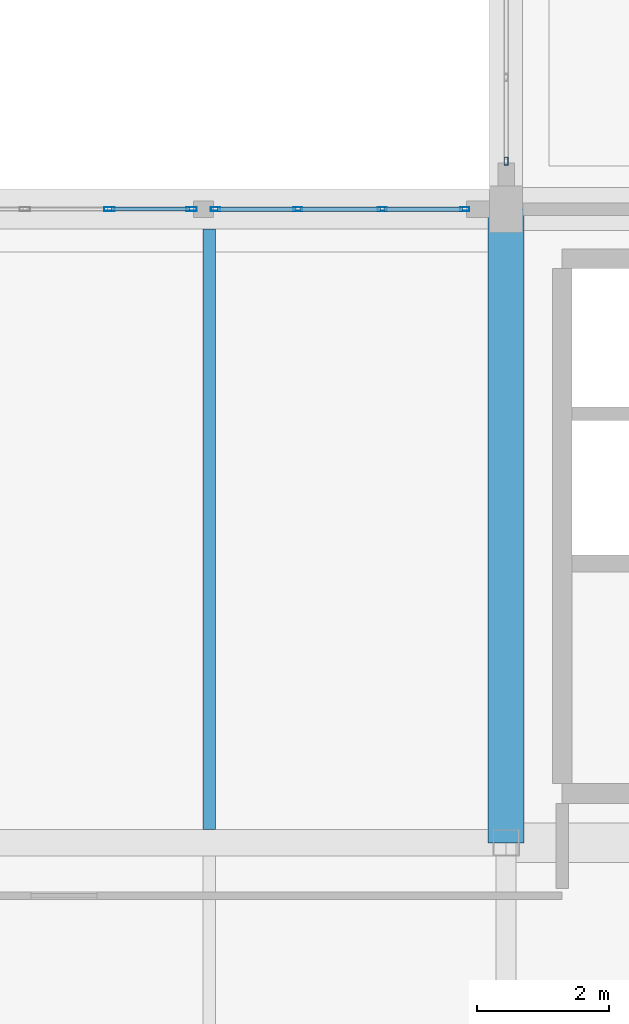
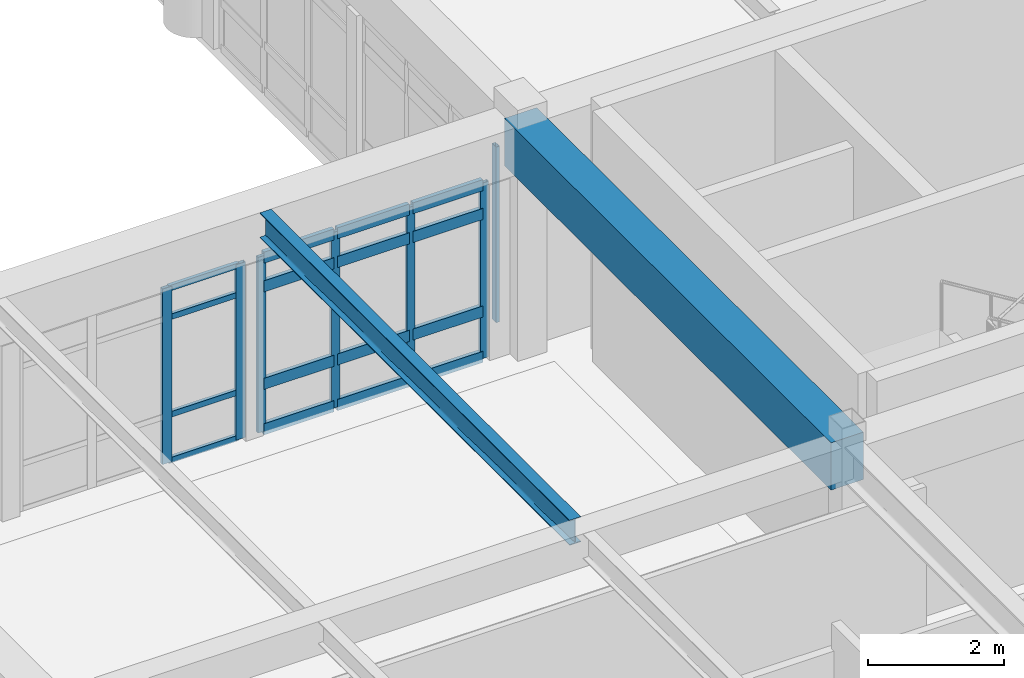
# One storey, part 15 of 80: 23 members, 2 beams, 3 elements without a shape of their own.
"""IFC4 building model written with IfcOpenShell, lengths in metres."""

from ifc_helpers import new_model, si_unit, direction, frame, origin, origin_2d, place, context, subcontext, project, spatial, rectangle, hollow_rectangle, i_section, extrude, material, layer, layer_set, material_profile, profile_set, type_object, element, aggregate, save


model = new_model("IFC4")

# Units and contexts
model_context = context("Model", 3, precision=1e-05, world=origin(), true_north=direction((0.0, 1.0)))
body_context = subcontext(model_context, "Body", "Model", "MODEL_VIEW")
ifc_project = project(units=[si_unit("LENGTHUNIT", "METRE"), si_unit("AREAUNIT", "SQUARE_METRE"), si_unit("VOLUMEUNIT", "CUBIC_METRE"), si_unit("PLANEANGLEUNIT", "RADIAN"), si_unit("MASSUNIT", "GRAM", prefix="KILO")], contexts=[model_context])

# Site, building, storey
site_placement = place(None, origin())
site = spatial("IfcSite", under=ifc_project, at=site_placement, CompositionType="ELEMENT")
building_placement = place(site_placement, origin())
building = spatial("IfcBuilding", under=site, at=building_placement, Name="Fikremerkos Civic Library", CompositionType="ELEMENT")
storey_placement = place(building_placement, frame((0.0, 0.0, 9.89990234375)))
storey = spatial("IfcBuildingStorey", under=building, at=storey_placement, Name="L02", CompositionType="ELEMENT", Elevation=9.89990234375)

# Curtain wall, members
ifc_material_1 = material(Name="Anodized aluminium Frame", Category="aluminium")
ifc_layer_1 = layer(ifc_material_1, 0.159912109375, Name="Anodized aluminium Frame")
ifc_layer_set_1 = layer_set([ifc_layer_1], Name="Anodized aluminium Frame")
curtain_wall_type_1 = type_object("IfcCurtainWallType", Name="Unitised curtain wall CW-06 4200x4100", PredefinedType="USERDEFINED", material=ifc_layer_set_1)
curtain_wall_1_placement = place(storey_placement, origin())
curtain_wall_1 = element("IfcCurtainWall", 1, at=curtain_wall_1_placement, inside=storey, type_object=curtain_wall_type_1, Name="Unitised curtain wall CW-06 L02 #150", ObjectType="UNITISED CURTAIN WALL", PredefinedType="USERDEFINED")
ifc_material_profile_1 = material_profile(ifc_material_1, hollow_rectangle(XDim=0.06005859375, YDim=0.159912109375, WallThickness=0.00390625, at=origin_2d()), Name="ALU 160x60x4")
ifc_profile_set_1 = profile_set([ifc_material_profile_1], Name="Anodized aluminium Frame")
member_type_1 = type_object("IfcMemberType", Name="Curtain mullion CWM-02 ALU 160x60x4", PredefinedType="MULLION", material=ifc_profile_set_1)
member_1_placement = place(storey_placement, frame((40.189208984375, 31.199951171875, 0.0), z_axis=(0.0, 0.0, 1.0), x_axis=(0.0, 1.0, 0.0)))
member_1 = element("IfcMember", 2, at=member_1_placement, type_object=member_type_1, Name="CW-06 mullion 3", PredefinedType="MULLION", context=body_context, shape_type="SweptSolid", body=[
    extrude(hollow_rectangle(XDim=0.06005859375, YDim=0.159912109375, WallThickness=0.00390625, at=origin_2d()), origin(), (0.0, 0.0, 1.0), 3.150146484375),
])
member_2_placement = place(storey_placement, frame((41.437255859375, 31.199951171875, 0.0), z_axis=(0.0, 0.0, 1.0), x_axis=(0.0, 1.0, 0.0)))
member_2 = element("IfcMember", 3, at=member_2_placement, type_object=member_type_1, Name="CW-06 mullion 4", PredefinedType="MULLION", context=body_context, shape_type="SweptSolid", body=[
    extrude(hollow_rectangle(XDim=0.06005859375, YDim=0.159912109375, WallThickness=0.00390625, at=origin_2d()), origin(), (0.0, 0.0, 1.0), 3.150146484375),
])

ifc_layer_2 = layer(ifc_material_1, 0.159912109375, Name="Anodized aluminium Frame")
ifc_layer_set_2 = layer_set([ifc_layer_2], Name="Anodized aluminium Frame")
curtain_wall_type_2 = type_object("IfcCurtainWallType", Name="Unitised curtain wall CW-07 3500x4100", PredefinedType="USERDEFINED", material=ifc_layer_set_2)
curtain_wall_2_placement = place(storey_placement, origin())
curtain_wall_2 = element("IfcCurtainWall", 4, at=curtain_wall_2_placement, inside=storey, type_object=curtain_wall_type_2, Name="Unitised curtain wall CW-07 L02 #151", ObjectType="UNITISED CURTAIN WALL", PredefinedType="USERDEFINED")
ifc_material_profile_2 = material_profile(ifc_material_1, hollow_rectangle(XDim=0.06005859375, YDim=0.139892578125, WallThickness=0.00390625, at=origin_2d()), Name="ALU 140x60x4")
ifc_profile_set_2 = profile_set([ifc_material_profile_2], Name="Anodized aluminium Frame")
member_type_2 = type_object("IfcMemberType", Name="Curtain mullion CWM-03 ALU 140x60x4", PredefinedType="MULLION", material=ifc_profile_set_2)
member_3_placement = place(storey_placement, frame((41.79736328125, 31.199951171875, 0.0), z_axis=(0.0, 0.0, 1.0), x_axis=(0.0, 1.0, 0.0)))
member_3 = element("IfcMember", 5, at=member_3_placement, type_object=member_type_2, Name="CW-07 mullion 1", PredefinedType="MULLION", context=body_context, shape_type="SweptSolid", body=[
    extrude(hollow_rectangle(XDim=0.06005859375, YDim=0.139892578125, WallThickness=0.00390625, at=origin_2d()), origin(), (0.0, 0.0, 1.0), 3.150146484375),
])
member_4_placement = place(storey_placement, frame((43.045654296875, 31.199951171875, 0.0), z_axis=(0.0, 0.0, 1.0), x_axis=(0.0, 1.0, 0.0)))
member_4 = element("IfcMember", 6, at=member_4_placement, type_object=member_type_2, Name="CW-07 mullion 2", PredefinedType="MULLION", context=body_context, shape_type="SweptSolid", body=[
    extrude(hollow_rectangle(XDim=0.06005859375, YDim=0.139892578125, WallThickness=0.00390625, at=origin_2d()), origin(), (0.0, 0.0, 1.0), 3.150146484375),
])
member_5_placement = place(storey_placement, frame((44.32373046875, 31.199951171875, 0.0), z_axis=(0.0, 0.0, 1.0), x_axis=(0.0, 1.0, 0.0)))
member_5 = element("IfcMember", 7, at=member_5_placement, type_object=member_type_2, Name="CW-07 mullion 3", PredefinedType="MULLION", context=body_context, shape_type="SweptSolid", body=[
    extrude(hollow_rectangle(XDim=0.06005859375, YDim=0.139892578125, WallThickness=0.00390625, at=origin_2d()), origin(), (0.0, 0.0, 1.0), 3.150146484375),
])
member_6_placement = place(storey_placement, frame((45.572021484375, 31.199951171875, 0.0), z_axis=(0.0, 0.0, 1.0), x_axis=(0.0, 1.0, 0.0)))
member_6 = element("IfcMember", 8, at=member_6_placement, type_object=member_type_2, Name="CW-07 mullion 4", PredefinedType="MULLION", context=body_context, shape_type="SweptSolid", body=[
    extrude(hollow_rectangle(XDim=0.06005859375, YDim=0.139892578125, WallThickness=0.00390625, at=origin_2d()), origin(), (0.0, 0.0, 1.0), 3.150146484375),
])

# Curtain wall, member
ifc_layer_3 = layer(ifc_material_1, 0.159912109375, Name="Anodized aluminium Frame")
ifc_layer_set_3 = layer_set([ifc_layer_3], Name="Anodized aluminium Frame")
curtain_wall_type_3 = type_object("IfcCurtainWallType", Name="Unitised curtain wall CW-08 4500x4100", PredefinedType="USERDEFINED", material=ifc_layer_set_3)
curtain_wall_3_placement = place(storey_placement, origin())
curtain_wall_3 = element("IfcCurtainWall", 9, at=curtain_wall_3_placement, inside=storey, type_object=curtain_wall_type_3, Name="Unitised curtain wall CW-08 L02 #152", ObjectType="UNITISED CURTAIN WALL", PredefinedType="USERDEFINED")
ifc_material_profile_3 = material_profile(ifc_material_1, hollow_rectangle(XDim=0.06005859375, YDim=0.1201171875, WallThickness=0.00390625, at=origin_2d()), Name="ALU 120x60x4")
ifc_profile_set_3 = profile_set([ifc_material_profile_3], Name="Anodized aluminium Frame")
member_type_3 = type_object("IfcMemberType", Name="Curtain mullion CWM-04 ALU 120x60x4", PredefinedType="MULLION", material=ifc_profile_set_3)
member_7_placement = place(storey_placement, frame((46.199951171875, 31.927978515625, 0.0), z_axis=(0.0, 0.0, 1.0), x_axis=(-1.0, 0.0, 0.0)))
member_7 = element("IfcMember", 10, at=member_7_placement, type_object=member_type_3, Name="CW-08 mullion 1", PredefinedType="MULLION", context=body_context, shape_type="SweptSolid", body=[
    extrude(hollow_rectangle(XDim=0.06005859375, YDim=0.1201171875, WallThickness=0.00390625, at=origin_2d()), origin(), (0.0, 0.0, 1.0), 3.150146484375),
])
aggregate(curtain_wall_3, [member_7])

# Member
ifc_material_profile_4 = material_profile(ifc_material_1, hollow_rectangle(XDim=0.06005859375, YDim=0.10009765625, WallThickness=0.00390625, at=origin_2d()), Name="ALU 100x60x4")
ifc_profile_set_4 = profile_set([ifc_material_profile_4], Name="Anodized aluminium Frame")
member_type_4 = type_object("IfcMemberType", Name="Curtain transom CWT-03 ALU 100x60x4", PredefinedType="USERDEFINED", material=ifc_profile_set_4)
member_8_placement = place(storey_placement, frame((40.218994140625, 31.199951171875, 0.030029296875), z_axis=(1.0, 0.0, 0.0), x_axis=(0.0, 1.0, 0.0)))
member_8 = element("IfcMember", 11, at=member_8_placement, type_object=member_type_4, Name="CW-06 transom 3.1", ObjectType="TRANSOM", PredefinedType="USERDEFINED", context=body_context, shape_type="SweptSolid", body=[
    extrude(hollow_rectangle(XDim=0.06005859375, YDim=0.10009765625, WallThickness=0.00390625, at=origin_2d()), origin(), (0.0, 0.0, 1.0), 1.188232421875),
])

member_9_placement = place(storey_placement, frame((40.218994140625, 31.199951171875, 0.85009765625), z_axis=(1.0, 0.0, 0.0), x_axis=(0.0, 1.0, 0.0)))
member_9 = element("IfcMember", 12, at=member_9_placement, type_object=member_type_4, Name="CW-06 transom 3.2", ObjectType="TRANSOM", PredefinedType="USERDEFINED", context=body_context, shape_type="SweptSolid", body=[
    extrude(hollow_rectangle(XDim=0.06005859375, YDim=0.10009765625, WallThickness=0.00390625, at=origin_2d()), origin(), (0.0, 0.0, 1.0), 1.188232421875),
])

member_10_placement = place(storey_placement, frame((40.218994140625, 31.199951171875, 2.60009765625), z_axis=(1.0, 0.0, 0.0), x_axis=(0.0, 1.0, 0.0)))
member_10 = element("IfcMember", 13, at=member_10_placement, type_object=member_type_4, Name="CW-06 transom 3.3", ObjectType="TRANSOM", PredefinedType="USERDEFINED", context=body_context, shape_type="SweptSolid", body=[
    extrude(hollow_rectangle(XDim=0.06005859375, YDim=0.10009765625, WallThickness=0.00390625, at=origin_2d()), origin(), (0.0, 0.0, 1.0), 1.188232421875),
])

member_11_placement = place(storey_placement, frame((40.218994140625, 31.199951171875, 3.1201171875), z_axis=(1.0, 0.0, 0.0), x_axis=(0.0, 1.0, 0.0)))
member_11 = element("IfcMember", 14, at=member_11_placement, type_object=member_type_4, Name="CW-06 transom 3.4", ObjectType="TRANSOM", PredefinedType="USERDEFINED", context=body_context, shape_type="SweptSolid", body=[
    extrude(hollow_rectangle(XDim=0.06005859375, YDim=0.10009765625, WallThickness=0.00390625, at=origin_2d()), origin(), (0.0, 0.0, 1.0), 1.188232421875),
])

aggregate(curtain_wall_1, [member_1, member_2, member_8, member_9, member_10, member_11])

ifc_material_profile_5 = material_profile(ifc_material_1, hollow_rectangle(XDim=0.070068359375, YDim=0.199951171875, WallThickness=0.0048828125, at=origin_2d()), Name="ALU 200x70x5")
ifc_profile_set_5 = profile_set([ifc_material_profile_5], Name="Anodized aluminium Frame")
member_type_5 = type_object("IfcMemberType", Name="Curtain transom CWT-04 ALU 200x70x5", PredefinedType="USERDEFINED", material=ifc_profile_set_5)
member_12_placement = place(storey_placement, frame((41.827392578125, 31.199951171875, 0.03515625), z_axis=(1.0, 0.0, 0.0), x_axis=(0.0, 1.0, 0.0)))
member_12 = element("IfcMember", 15, at=member_12_placement, type_object=member_type_5, Name="CW-07 transom 1.1", ObjectType="TRANSOM", PredefinedType="USERDEFINED", context=body_context, shape_type="SweptSolid", body=[
    extrude(hollow_rectangle(XDim=0.070068359375, YDim=0.199951171875, WallThickness=0.0048828125, at=origin_2d()), origin(), (0.0, 0.0, 1.0), 1.188232421875),
])

member_13_placement = place(storey_placement, frame((41.827392578125, 31.199951171875, 0.85009765625), z_axis=(1.0, 0.0, 0.0), x_axis=(0.0, 1.0, 0.0)))
member_13 = element("IfcMember", 16, at=member_13_placement, type_object=member_type_5, Name="CW-07 transom 1.2", ObjectType="TRANSOM", PredefinedType="USERDEFINED", context=body_context, shape_type="SweptSolid", body=[
    extrude(hollow_rectangle(XDim=0.070068359375, YDim=0.199951171875, WallThickness=0.0048828125, at=origin_2d()), origin(), (0.0, 0.0, 1.0), 1.188232421875),
])

member_14_placement = place(storey_placement, frame((41.827392578125, 31.199951171875, 2.60009765625), z_axis=(1.0, 0.0, 0.0), x_axis=(0.0, 1.0, 0.0)))
member_14 = element("IfcMember", 17, at=member_14_placement, type_object=member_type_5, Name="CW-07 transom 1.3", ObjectType="TRANSOM", PredefinedType="USERDEFINED", context=body_context, shape_type="SweptSolid", body=[
    extrude(hollow_rectangle(XDim=0.070068359375, YDim=0.199951171875, WallThickness=0.0048828125, at=origin_2d()), origin(), (0.0, 0.0, 1.0), 1.188232421875),
])

member_15_placement = place(storey_placement, frame((41.827392578125, 31.199951171875, 3.114990234375), z_axis=(1.0, 0.0, 0.0), x_axis=(0.0, 1.0, 0.0)))
member_15 = element("IfcMember", 18, at=member_15_placement, type_object=member_type_5, Name="CW-07 transom 1.4", ObjectType="TRANSOM", PredefinedType="USERDEFINED", context=body_context, shape_type="SweptSolid", body=[
    extrude(hollow_rectangle(XDim=0.070068359375, YDim=0.199951171875, WallThickness=0.0048828125, at=origin_2d()), origin(), (0.0, 0.0, 1.0), 1.188232421875),
])

member_16_placement = place(storey_placement, frame((43.075439453125, 31.199951171875, 0.03515625), z_axis=(1.0, 0.0, 0.0), x_axis=(0.0, 1.0, 0.0)))
member_16 = element("IfcMember", 19, at=member_16_placement, type_object=member_type_5, Name="CW-07 transom 2.1", ObjectType="TRANSOM", PredefinedType="USERDEFINED", context=body_context, shape_type="SweptSolid", body=[
    extrude(hollow_rectangle(XDim=0.070068359375, YDim=0.199951171875, WallThickness=0.0048828125, at=origin_2d()), origin(), (0.0, 0.0, 1.0), 1.21826171875),
])

member_17_placement = place(storey_placement, frame((43.075439453125, 31.199951171875, 0.85009765625), z_axis=(1.0, 0.0, 0.0), x_axis=(0.0, 1.0, 0.0)))
member_17 = element("IfcMember", 20, at=member_17_placement, type_object=member_type_5, Name="CW-07 transom 2.2", ObjectType="TRANSOM", PredefinedType="USERDEFINED", context=body_context, shape_type="SweptSolid", body=[
    extrude(hollow_rectangle(XDim=0.070068359375, YDim=0.199951171875, WallThickness=0.0048828125, at=origin_2d()), origin(), (0.0, 0.0, 1.0), 1.21826171875),
])

member_18_placement = place(storey_placement, frame((43.075439453125, 31.199951171875, 2.60009765625), z_axis=(1.0, 0.0, 0.0), x_axis=(0.0, 1.0, 0.0)))
member_18 = element("IfcMember", 21, at=member_18_placement, type_object=member_type_5, Name="CW-07 transom 2.3", ObjectType="TRANSOM", PredefinedType="USERDEFINED", context=body_context, shape_type="SweptSolid", body=[
    extrude(hollow_rectangle(XDim=0.070068359375, YDim=0.199951171875, WallThickness=0.0048828125, at=origin_2d()), origin(), (0.0, 0.0, 1.0), 1.21826171875),
])

member_19_placement = place(storey_placement, frame((43.075439453125, 31.199951171875, 3.114990234375), z_axis=(1.0, 0.0, 0.0), x_axis=(0.0, 1.0, 0.0)))
member_19 = element("IfcMember", 22, at=member_19_placement, type_object=member_type_5, Name="CW-07 transom 2.4", ObjectType="TRANSOM", PredefinedType="USERDEFINED", context=body_context, shape_type="SweptSolid", body=[
    extrude(hollow_rectangle(XDim=0.070068359375, YDim=0.199951171875, WallThickness=0.0048828125, at=origin_2d()), origin(), (0.0, 0.0, 1.0), 1.21826171875),
])

member_20_placement = place(storey_placement, frame((44.353759765625, 31.199951171875, 0.03515625), z_axis=(1.0, 0.0, 0.0), x_axis=(0.0, 1.0, 0.0)))
member_20 = element("IfcMember", 23, at=member_20_placement, type_object=member_type_5, Name="CW-07 transom 3.1", ObjectType="TRANSOM", PredefinedType="USERDEFINED", context=body_context, shape_type="SweptSolid", body=[
    extrude(hollow_rectangle(XDim=0.070068359375, YDim=0.199951171875, WallThickness=0.0048828125, at=origin_2d()), origin(), (0.0, 0.0, 1.0), 1.188232421875),
])

member_21_placement = place(storey_placement, frame((44.353759765625, 31.199951171875, 0.85009765625), z_axis=(1.0, 0.0, 0.0), x_axis=(0.0, 1.0, 0.0)))
member_21 = element("IfcMember", 24, at=member_21_placement, type_object=member_type_5, Name="CW-07 transom 3.2", ObjectType="TRANSOM", PredefinedType="USERDEFINED", context=body_context, shape_type="SweptSolid", body=[
    extrude(hollow_rectangle(XDim=0.070068359375, YDim=0.199951171875, WallThickness=0.0048828125, at=origin_2d()), origin(), (0.0, 0.0, 1.0), 1.188232421875),
])

member_22_placement = place(storey_placement, frame((44.353759765625, 31.199951171875, 2.60009765625), z_axis=(1.0, 0.0, 0.0), x_axis=(0.0, 1.0, 0.0)))
member_22 = element("IfcMember", 25, at=member_22_placement, type_object=member_type_5, Name="CW-07 transom 3.3", ObjectType="TRANSOM", PredefinedType="USERDEFINED", context=body_context, shape_type="SweptSolid", body=[
    extrude(hollow_rectangle(XDim=0.070068359375, YDim=0.199951171875, WallThickness=0.0048828125, at=origin_2d()), origin(), (0.0, 0.0, 1.0), 1.188232421875),
])

member_23_placement = place(storey_placement, frame((44.353759765625, 31.199951171875, 3.114990234375), z_axis=(1.0, 0.0, 0.0), x_axis=(0.0, 1.0, 0.0)))
member_23 = element("IfcMember", 26, at=member_23_placement, type_object=member_type_5, Name="CW-07 transom 3.4", ObjectType="TRANSOM", PredefinedType="USERDEFINED", context=body_context, shape_type="SweptSolid", body=[
    extrude(hollow_rectangle(XDim=0.070068359375, YDim=0.199951171875, WallThickness=0.0048828125, at=origin_2d()), origin(), (0.0, 0.0, 1.0), 1.188232421875),
])

aggregate(curtain_wall_2, [member_3, member_4, member_5, member_6, member_12, member_13, member_14, member_15, member_16, member_17, member_18, member_19, member_20, member_21, member_22, member_23])

# Beams
ifc_material_2 = material(Name="Steel S355", Category="steel")
ifc_material_profile_6 = material_profile(ifc_material_2, i_section(OverallWidth=0.18994140625, OverallDepth=0.449951171875, WebThickness=0.009521484375, FlangeThickness=0.0146484375, FilletRadius=0.02099609375, at=origin_2d()), Name="IPE 450")
ifc_profile_set_6 = profile_set([ifc_material_profile_6], Name="Steel S355")
beam_type_1 = type_object("IfcBeamType", Name="Floor joist JS-07 IPE 450", PredefinedType="JOIST", material=ifc_profile_set_6)
beam_1_placement = place(storey_placement, frame((41.699951171875, 21.800048828125, 3.93505859375), z_axis=(0.0, 1.0, 0.0), x_axis=(-1.0, 0.0, 0.0)))
element("IfcBeam", 27, at=beam_1_placement, inside=storey, type_object=beam_type_1, Name="Floor joist JS-07 L02 #491", PredefinedType="JOIST", context=body_context, shape_type="SweptSolid", body=[
    extrude(i_section(OverallWidth=0.18994140625, OverallDepth=0.449951171875, WebThickness=0.009521484375, FlangeThickness=0.0146484375, FilletRadius=0.02099609375, at=origin_2d()), origin(), (0.0, 0.0, 1.0), 9.099853515625),
])
ifc_material_3 = material(Name="Concrete C40/50", Category="concrete")
ifc_material_profile_7 = material_profile(ifc_material_3, rectangle(XDim=0.550048828125, YDim=0.85009765625, at=origin_2d()), Name="RC 550x850")
ifc_profile_set_7 = profile_set([ifc_material_profile_7], Name="Concrete C40/50")
beam_type_2 = type_object("IfcBeamType", Name="Primary girder BM-03 RC 550x850", PredefinedType="BEAM", material=ifc_profile_set_7)
beam_2_placement = place(storey_placement, frame((46.199951171875, 21.60009765625, 3.735107421875), z_axis=(0.0, 1.0, 0.0), x_axis=(-1.0, 0.0, 0.0)))
element("IfcBeam", 28, at=beam_2_placement, inside=storey, type_object=beam_type_2, Name="Primary girder BM-03 L02 grid 5", PredefinedType="BEAM", context=body_context, shape_type="SweptSolid", body=[
    extrude(rectangle(XDim=0.550048828125, YDim=0.85009765625, at=origin_2d()), origin(), (0.0, 0.0, 1.0), 9.599853515625),
])

save(model, "model.ifc")
